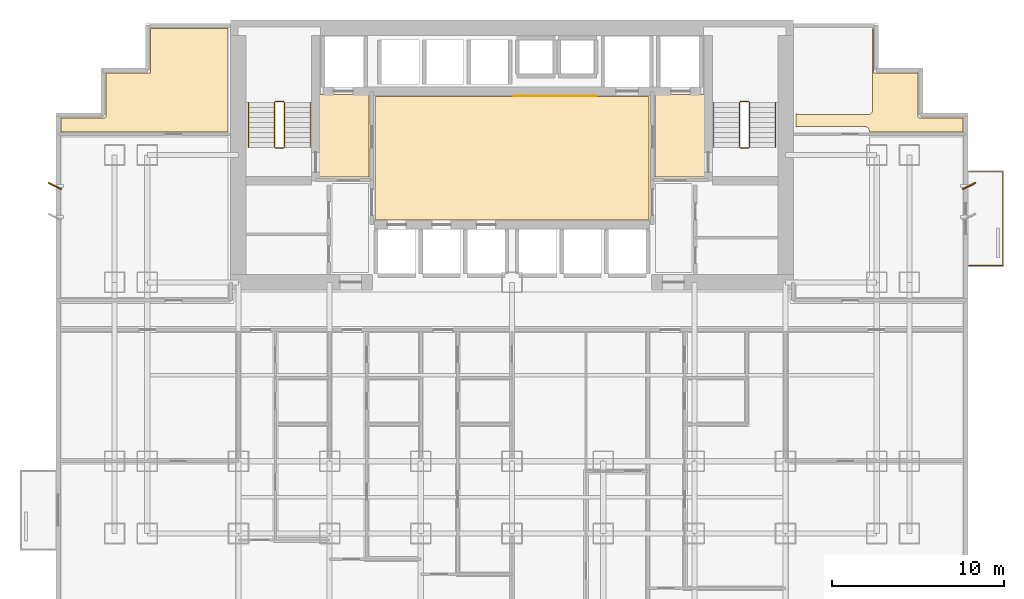
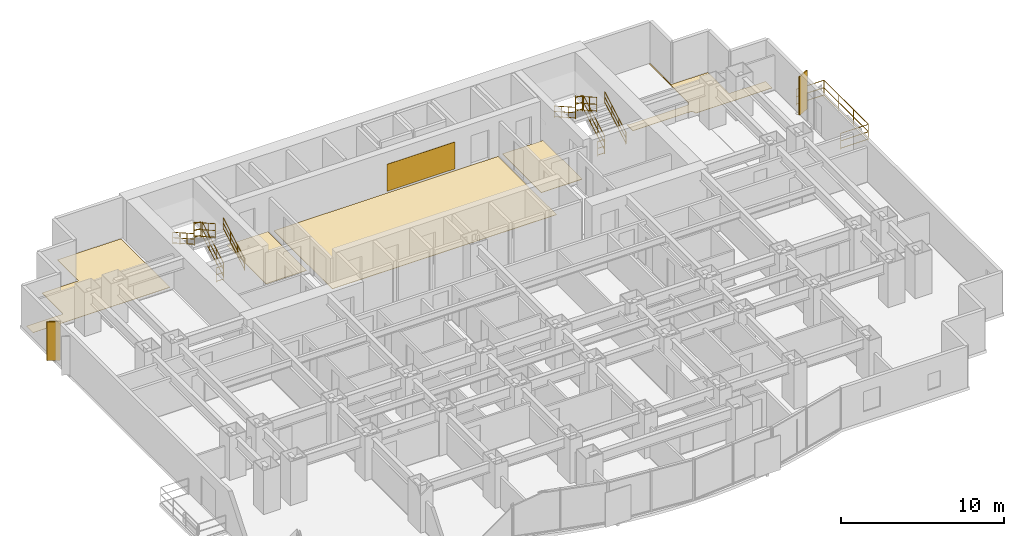
# One storey, part 10 of 10: 13 railings, 6 coverings, 2 shading devices.
"""IFC4 building model written with IfcOpenShell, lengths in metres."""

from ifc_helpers import new_model, si_unit, direction, frame, origin, origin_2d, place, context, subcontext, project, spatial, polyline, rectangle, circle, outline, extrude, source, transform, mapped, material, layer, layer_set, type_object, element, save


model = new_model("IFC4")

# Units and contexts
model_context = context("Model", 3, precision=1e-05, world=origin(), true_north=direction((0.0, 1.0)))
body_context = subcontext(model_context, "Body", "Model", "MODEL_VIEW")
ifc_project = project(units=[si_unit("LENGTHUNIT", "METRE"), si_unit("AREAUNIT", "SQUARE_METRE"), si_unit("VOLUMEUNIT", "CUBIC_METRE"), si_unit("PLANEANGLEUNIT", "RADIAN"), si_unit("MASSUNIT", "GRAM", prefix="KILO")], contexts=[model_context])

# Site, building, storey
site_placement = place(None, origin())
site = spatial("IfcSite", under=ifc_project, at=site_placement, CompositionType="ELEMENT")
building_placement = place(site_placement, origin())
building = spatial("IfcBuilding", under=site, at=building_placement, Name="Qianlan Lanfeng Residences", CompositionType="ELEMENT")
storey_placement = place(building_placement, frame((0.0, 0.0, 40.699951171875)))
storey = spatial("IfcBuildingStorey", under=building, at=storey_placement, Name="L10", CompositionType="ELEMENT", Elevation=40.699951171875)

# Coverings
ifc_material_1 = material(Name="Anodised Bronze Feature Wall Cladding")
ifc_layer_1 = layer(ifc_material_1, 0.02490234375)
ifc_layer_set_1 = layer_set([ifc_layer_1], Name="Anodised Bronze Feature Wall Cladding")
covering_type_1 = type_object("IfcCoveringType", Name="CLD-BRZ-25", PredefinedType="CLADDING", material=ifc_layer_set_1)
covering_1_placement = place(storey_placement, frame((0.0, 0.0, 0.150146484375)))
element("IfcCovering", 1, at=covering_1_placement, inside=storey, type_object=covering_type_1, Name="L10 Lift Lobby Bronze Feature Cladding", PredefinedType="CLADDING", context=body_context, shape_type="SweptSolid", body=[
    extrude(outline(polyline([(26.60009765625, 36.02490234375), (31.39990234375, 36.02490234375), (31.39990234375, 36.050048828125), (26.60009765625, 36.050048828125), (26.60009765625, 36.02490234375)])), origin(), (0.0, 0.0, 1.0), 2.02001953125),
])
ifc_material_2 = material(Name="Honed Taitung Granite Stone Flooring", Category="masonry")
ifc_layer_2 = layer(ifc_material_2, 0.030029296875)
ifc_layer_set_2 = layer_set([ifc_layer_2], Name="Honed Taitung Granite Stone Flooring")
covering_type_2 = type_object("IfcCoveringType", Name="FLR-STN-30", PredefinedType="FLOORING", material=ifc_layer_set_2)
covering_2_placement = place(storey_placement, origin())
element("IfcCovering", 2, at=covering_2_placement, inside=storey, type_object=covering_type_2, Name="L10 Firefighting Lift Lobby Floor Finish", PredefinedType="FLOORING", context=body_context, shape_type="SweptSolid", body=[
    extrude(outline(polyline([(15.2900390625, 31.320068359375), (18.179931640625, 31.320068359375), (18.179931640625, 36.110107421875), (15.2900390625, 36.110107421875), (15.2900390625, 31.320068359375)])), origin(), (0.0, 0.0, 1.0), 0.030029296875),
])
covering_3_placement = place(storey_placement, origin())
element("IfcCovering", 3, at=covering_3_placement, inside=storey, type_object=covering_type_2, Name="L10 Firefighting Lift Lobby Floor Finish", PredefinedType="FLOORING", context=body_context, shape_type="SweptSolid", body=[
    extrude(outline(polyline([(34.820068359375, 31.320068359375), (37.7099609375, 31.320068359375), (37.7099609375, 36.110107421875), (34.820068359375, 36.110107421875), (34.820068359375, 31.320068359375)])), origin(), (0.0, 0.0, 1.0), 0.030029296875),
])
covering_4_placement = place(storey_placement, origin())
element("IfcCovering", 4, at=covering_4_placement, inside=storey, type_object=covering_type_2, Name="L10 Lift Lobby Floor Finish", PredefinedType="FLOORING", context=body_context, shape_type="SweptSolid", body=[
    extrude(outline(polyline([(18.550048828125, 28.820068359375), (34.449951171875, 28.820068359375), (34.449951171875, 36.010009765625), (18.550048828125, 36.010009765625), (18.550048828125, 28.820068359375)])), origin(), (0.0, 0.0, 1.0), 0.030029296875),
])
ifc_material_3 = material(Name="Engineered Smoked Oak Timber Flooring", Category="wood")
ifc_layer_3 = layer(ifc_material_3, 0.02197265625)
ifc_layer_set_3 = layer_set([ifc_layer_3], Name="Engineered Smoked Oak Timber Flooring")
covering_type_3 = type_object("IfcCoveringType", Name="FLR-TIM-22", PredefinedType="FLOORING", material=ifc_layer_set_3)
covering_5_placement = place(storey_placement, origin())
element("IfcCovering", 5, at=covering_5_placement, inside=storey, type_object=covering_type_3, Name="L10 Resident Lounge Floor Finish", PredefinedType="FLOORING", context=body_context, shape_type="SweptSolid", body=[
    extrude(outline(polyline([(0.2900390625, 33.949951171875), (10.0, 33.949951171875), (10.0, 39.9599609375), (5.489990234375, 39.9599609375), (5.489990234375, 37.429931640625), (5.489990234375, 37.423095703125), (5.489013671875, 37.416015625), (5.487060546875, 37.409912109375), (5.485107421875, 37.403076171875), (5.48193359375, 37.39697265625), (5.47802734375, 37.39111328125), (5.47412109375, 37.385986328125), (5.468994140625, 37.381103515625), (5.464111328125, 37.3759765625), (5.458984375, 37.3720703125), (5.452880859375, 37.367919921875), (5.447021484375, 37.364990234375), (5.43994140625, 37.363037109375), (5.43408203125, 37.361083984375), (5.427001953125, 37.360107421875), (5.419921875, 37.360107421875), (2.889892578125, 37.360107421875), (2.889892578125, 34.830078125), (2.889892578125, 34.822998046875), (2.888916015625, 34.81591796875), (2.886962890625, 34.81005859375), (2.885009765625, 34.802978515625), (2.882080078125, 34.797119140625), (2.8779296875, 34.791015625), (2.8740234375, 34.785888671875), (2.868896484375, 34.781005859375), (2.864013671875, 34.77587890625), (2.85888671875, 34.77197265625), (2.85302734375, 34.76806640625), (2.846923828125, 34.764892578125), (2.840087890625, 34.762939453125), (2.833984375, 34.760986328125), (2.826904296875, 34.760009765625), (2.820068359375, 34.760009765625), (0.2900390625, 34.760009765625), (0.2900390625, 33.949951171875)])), origin(), (0.0, 0.0, 1.0), 0.02197265625),
])
covering_6_placement = place(storey_placement, origin())
element("IfcCovering", 6, at=covering_6_placement, inside=storey, type_object=covering_type_3, Name="L10 Resident Lounge Floor Finish", PredefinedType="FLOORING", context=body_context, shape_type="SweptSolid", body=[
    extrude(outline(polyline([(43.0, 34.237060546875), (43.007080078125, 34.239013671875), (43.031005859375, 34.2451171875), (43.054931640625, 34.2490234375), (43.080078125, 34.25), (47.02001953125, 34.25), (47.044921875, 34.2490234375), (47.069091796875, 34.2451171875), (47.093017578125, 34.239013671875), (47.115966796875, 34.23095703125), (47.137939453125, 34.219970703125), (47.158935546875, 34.2080078125), (47.178955078125, 34.193115234375), (47.197021484375, 34.177001953125), (47.212890625, 34.158935546875), (47.22802734375, 34.138916015625), (47.239990234375, 34.117919921875), (47.2509765625, 34.095947265625), (47.259033203125, 34.072998046875), (47.264892578125, 34.049072265625), (47.26904296875, 34.02490234375), (47.27001953125, 34.0), (47.27001953125, 33.949951171875), (52.7099609375, 33.949951171875), (52.7099609375, 34.760009765625), (50.179931640625, 34.760009765625), (50.173095703125, 34.760009765625), (50.166015625, 34.760986328125), (50.159912109375, 34.762939453125), (50.153076171875, 34.764892578125), (50.14697265625, 34.76806640625), (50.14111328125, 34.77197265625), (50.135986328125, 34.77587890625), (50.131103515625, 34.781005859375), (50.1259765625, 34.785888671875), (50.1220703125, 34.791015625), (50.117919921875, 34.797119140625), (50.114990234375, 34.802978515625), (50.113037109375, 34.81005859375), (50.111083984375, 34.81591796875), (50.110107421875, 34.822998046875), (50.110107421875, 34.830078125), (50.110107421875, 37.360107421875), (47.580078125, 37.360107421875), (47.572998046875, 37.360107421875), (47.56591796875, 37.361083984375), (47.56005859375, 37.363037109375), (47.552978515625, 37.364990234375), (47.547119140625, 37.367919921875), (47.541015625, 37.3720703125), (47.535888671875, 37.3759765625), (47.531005859375, 37.381103515625), (47.52587890625, 37.385986328125), (47.52197265625, 37.39111328125), (47.51806640625, 37.39697265625), (47.514892578125, 37.403076171875), (47.512939453125, 37.409912109375), (47.510986328125, 37.416015625), (47.510009765625, 37.423095703125), (47.510009765625, 37.429931640625), (47.510009765625, 39.9599609375), (47.449951171875, 39.9599609375), (47.449951171875, 35.199951171875), (47.448974609375, 35.175048828125), (47.445068359375, 35.15087890625), (47.43896484375, 35.126953125), (47.430908203125, 35.10400390625), (47.419921875, 35.08203125), (47.407958984375, 35.06103515625), (47.39306640625, 35.041015625), (47.376953125, 35.02294921875), (47.35888671875, 35.007080078125), (47.339111328125, 34.991943359375), (47.318115234375, 34.97998046875), (47.2958984375, 34.968994140625), (47.27294921875, 34.9609375), (47.2490234375, 34.955078125), (47.22509765625, 34.950927734375), (47.199951171875, 34.949951171875), (43.199951171875, 34.949951171875), (43.175048828125, 34.950927734375), (43.15087890625, 34.955078125), (43.126953125, 34.9609375), (43.10400390625, 34.968994140625), (43.08203125, 34.97998046875), (43.06103515625, 34.991943359375), (43.041015625, 35.007080078125), (43.02294921875, 35.02294921875), (43.007080078125, 35.041015625), (43.0, 35.050048828125), (43.0, 34.237060546875)])), origin(), (0.0, 0.0, 1.0), 0.02197265625),
])

# Railings
ifc_material_4 = material(Name="Anodised Bronze Aluminium and Laminated Glass Guard Balustrade", Category="aluminium")
railing_type_1 = type_object("IfcRailingType", Name="GR-EXT-1220", PredefinedType="BALUSTRADE", material=ifc_material_4)
railing_1_placement = place(storey_placement, frame((53.070068359375, 31.6298828125, 0.0)))
element("IfcRailing", 7, at=railing_1_placement, inside=storey, type_object=railing_type_1, Name="L10 Terrace Safety Guard GR-L10-EB-N", PredefinedType="BALUSTRADE", context=body_context, shape_type="SweptSolid", body=[
    extrude(circle(Radius=0.02490234375, at=origin_2d()), frame((0.0, 0.0, 0.0849609375), z_axis=(1.0, 0.0, 0.0), x_axis=(0.0, 1.0, 0.0)), (0.0, 0.0, 1.0), 1.9599609375),
    extrude(circle(Radius=0.02490234375, at=origin_2d()), frame((0.0, 0.0, 0.63427734375), z_axis=(1.0, 0.0, 0.0), x_axis=(0.0, 1.0, 0.0)), (0.0, 0.0, 1.0), 1.9599609375),
    extrude(circle(Radius=0.02490234375, at=origin_2d()), frame((0.0, 0.0, 1.19482421875), z_axis=(1.0, 0.0, 0.0), x_axis=(0.0, 1.0, 0.0)), (0.0, 0.0, 1.0), 1.9599609375),
    extrude(circle(Radius=0.02490234375, at=origin_2d()), frame((1.9599609375, 0.0, 0.0849609375), z_axis=(0.0, -1.0, 0.0), x_axis=(1.0, 0.0, 0.0)), (0.0, 0.0, 1.0), 5.4599609375),
    extrude(circle(Radius=0.02490234375, at=origin_2d()), frame((1.9599609375, 0.0, 0.63427734375), z_axis=(0.0, -1.0, 0.0), x_axis=(1.0, 0.0, 0.0)), (0.0, 0.0, 1.0), 5.4599609375),
    extrude(circle(Radius=0.02490234375, at=origin_2d()), frame((1.9599609375, 0.0, 1.19482421875), z_axis=(0.0, -1.0, 0.0), x_axis=(1.0, 0.0, 0.0)), (0.0, 0.0, 1.0), 5.4599609375),
    extrude(circle(Radius=0.02490234375, at=origin_2d()), frame((1.9599609375, -5.4599609375, 0.0849609375), z_axis=(-1.0, 0.0, 0.0), x_axis=(0.0, -1.0, 0.0)), (0.0, 0.0, 1.0), 1.9599609375),
    extrude(circle(Radius=0.02490234375, at=origin_2d()), frame((1.9599609375, -5.4599609375, 0.63427734375), z_axis=(-1.0, 0.0, 0.0), x_axis=(0.0, -1.0, 0.0)), (0.0, 0.0, 1.0), 1.9599609375),
    extrude(circle(Radius=0.02490234375, at=origin_2d()), frame((1.9599609375, -5.4599609375, 1.19482421875), z_axis=(-1.0, 0.0, 0.0), x_axis=(0.0, -1.0, 0.0)), (0.0, 0.0, 1.0), 1.9599609375),
    extrude(circle(Radius=0.02099609375, at=origin_2d()), origin(), (0.0, 0.0, 1.0), 1.169921875),
    extrude(circle(Radius=0.02099609375, at=origin_2d()), frame((1.9599609375, 0.0, 0.0)), (0.0, 0.0, 1.0), 1.169921875),
    extrude(circle(Radius=0.02099609375, at=origin_2d()), frame((1.9599609375, -1.820068359375, 0.0)), (0.0, 0.0, 1.0), 1.169921875),
    extrude(circle(Radius=0.02099609375, at=origin_2d()), frame((1.9599609375, -3.639892578125, 0.0)), (0.0, 0.0, 1.0), 1.169921875),
    extrude(circle(Radius=0.02099609375, at=origin_2d()), frame((1.9599609375, -5.4599609375, 0.0)), (0.0, 0.0, 1.0), 1.169921875),
    extrude(circle(Radius=0.02099609375, at=origin_2d()), frame((0.0, -5.4599609375, 0.0)), (0.0, 0.0, 1.0), 1.169921875),
])
ifc_material_5 = material(Name="Painted Galvanised Steel Guardrail", Category="steel")
railing_type_2 = type_object("IfcRailingType", Name="GR-ST-1120", PredefinedType="GUARDRAIL", material=ifc_material_5)
railing_2_placement = place(storey_placement, frame((13.27001953125, 33.050048828125, 0.1650390625)))
element("IfcRailing", 8, at=railing_2_placement, inside=storey, type_object=railing_type_2, Name="L10 ST-1 stair guard 1", PredefinedType="GUARDRAIL", context=body_context, shape_type="SweptSolid", body=[
    extrude(circle(Radius=0.02392578125, at=origin_2d()), frame((0.0, 0.0, 0.083984375), z_axis=(0.0, 0.869137319866, 0.494570843475), x_axis=(-1.0, 0.0, 0.0)), (0.0, 0.0, 1.0), 3.0029296875),
    extrude(circle(Radius=0.02392578125, at=origin_2d()), frame((0.0, 0.0, 0.58251953125), z_axis=(0.0, 0.869137319866, 0.494570843475), x_axis=(-1.0, 0.0, 0.0)), (0.0, 0.0, 1.0), 3.0029296875),
    extrude(circle(Radius=0.02392578125, at=origin_2d()), frame((0.0, 0.0, 1.09619140625), z_axis=(0.0, 0.869137319866, 0.494570843475), x_axis=(-1.0, 0.0, 0.0)), (0.0, 0.0, 1.0), 3.0029296875),
    extrude(circle(Radius=0.02099609375, at=origin_2d()), origin(), (0.0, 0.0, 1.0), 1.072021484375),
    extrude(circle(Radius=0.02099609375, at=origin_2d()), frame((0.0, 0.869873046875, 0.4951171875)), (0.0, 0.0, 1.0), 1.072021484375),
    extrude(circle(Radius=0.02099609375, at=origin_2d()), frame((0.0, 1.739990234375, 0.989990234375)), (0.0, 0.0, 1.0), 1.072021484375),
    extrude(circle(Radius=0.02099609375, at=origin_2d()), frame((0.0, 2.60986328125, 1.485107421875)), (0.0, 0.0, 1.0), 1.072021484375),
])
railing_3_placement = place(storey_placement, frame((13.219970703125, 35.7099609375, 1.650146484375)))
element("IfcRailing", 9, at=railing_3_placement, inside=storey, type_object=railing_type_2, Name="L10 ST-1 stair guard 2", PredefinedType="GUARDRAIL", context=body_context, shape_type="SweptSolid", body=[
    extrude(circle(Radius=0.02392578125, at=origin_2d()), frame((0.0, 0.0, 0.083984375), z_axis=(-1.0, 0.0, 0.0), x_axis=(0.0, -1.0, 0.0)), (0.0, 0.0, 1.0), 0.47998046875),
    extrude(circle(Radius=0.02392578125, at=origin_2d()), frame((0.0, 0.0, 0.58251953125), z_axis=(-1.0, 0.0, 0.0), x_axis=(0.0, -1.0, 0.0)), (0.0, 0.0, 1.0), 0.47998046875),
    extrude(circle(Radius=0.02392578125, at=origin_2d()), frame((0.0, 0.0, 1.09619140625), z_axis=(-1.0, 0.0, 0.0), x_axis=(0.0, -1.0, 0.0)), (0.0, 0.0, 1.0), 0.47998046875),
    extrude(circle(Radius=0.02099609375, at=origin_2d()), origin(), (0.0, 0.0, 1.0), 1.072021484375),
    extrude(circle(Radius=0.02099609375, at=origin_2d()), frame((-0.47998046875, 0.0, 0.0)), (0.0, 0.0, 1.0), 1.072021484375),
])
railing_4_placement = place(storey_placement, frame((12.68994140625, 35.659912109375, 1.81494140625)))
element("IfcRailing", 10, at=railing_4_placement, inside=storey, type_object=railing_type_2, Name="L10 ST-1 stair guard 3", PredefinedType="GUARDRAIL", context=body_context, shape_type="SweptSolid", body=[
    extrude(circle(Radius=0.02392578125, at=origin_2d()), frame((0.0, 0.0, 0.083984375), z_axis=(0.0, -0.869137319866, 0.494570843475), x_axis=(1.0, 0.0, 0.0)), (0.0, 0.0, 1.0), 3.0029296875),
    extrude(circle(Radius=0.02392578125, at=origin_2d()), frame((0.0, 0.0, 0.58251953125), z_axis=(0.0, -0.869137319866, 0.494570843475), x_axis=(1.0, 0.0, 0.0)), (0.0, 0.0, 1.0), 3.0029296875),
    extrude(circle(Radius=0.02392578125, at=origin_2d()), frame((0.0, 0.0, 1.09619140625), z_axis=(0.0, -0.869137319866, 0.494570843475), x_axis=(1.0, 0.0, 0.0)), (0.0, 0.0, 1.0), 3.0029296875),
    extrude(circle(Radius=0.02099609375, at=origin_2d()), origin(), (0.0, 0.0, 1.0), 1.072021484375),
    extrude(circle(Radius=0.02099609375, at=origin_2d()), frame((0.0, -0.869873046875, 0.4951171875)), (0.0, 0.0, 1.0), 1.072021484375),
    extrude(circle(Radius=0.02099609375, at=origin_2d()), frame((0.0, -1.739990234375, 0.989990234375)), (0.0, 0.0, 1.0), 1.072021484375),
    extrude(circle(Radius=0.02099609375, at=origin_2d()), frame((0.0, -2.60986328125, 1.485107421875)), (0.0, 0.0, 1.0), 1.072021484375),
])
railing_5_placement = place(storey_placement, frame((13.219970703125, 33.0, 0.0)))
element("IfcRailing", 11, at=railing_5_placement, inside=storey, type_object=railing_type_2, Name="L10 ST-1 stair guard 4", PredefinedType="GUARDRAIL", context=body_context, shape_type="SweptSolid", body=[
    extrude(circle(Radius=0.02392578125, at=origin_2d()), frame((0.0, 0.0, 0.083984375), z_axis=(-1.0, 0.0, 0.0), x_axis=(0.0, -1.0, 0.0)), (0.0, 0.0, 1.0), 0.47998046875),
    extrude(circle(Radius=0.02392578125, at=origin_2d()), frame((0.0, 0.0, 0.58251953125), z_axis=(-1.0, 0.0, 0.0), x_axis=(0.0, -1.0, 0.0)), (0.0, 0.0, 1.0), 0.47998046875),
    extrude(circle(Radius=0.02392578125, at=origin_2d()), frame((0.0, 0.0, 1.09619140625), z_axis=(-1.0, 0.0, 0.0), x_axis=(0.0, -1.0, 0.0)), (0.0, 0.0, 1.0), 0.47998046875),
    extrude(circle(Radius=0.02099609375, at=origin_2d()), origin(), (0.0, 0.0, 1.0), 1.072021484375),
    extrude(circle(Radius=0.02099609375, at=origin_2d()), frame((-0.47998046875, 0.0, 0.0)), (0.0, 0.0, 1.0), 1.072021484375),
])
railing_6_placement = place(storey_placement, frame((40.31005859375, 33.050048828125, 0.1650390625)))
element("IfcRailing", 12, at=railing_6_placement, inside=storey, type_object=railing_type_2, Name="L10 ST-2 stair guard 1", PredefinedType="GUARDRAIL", context=body_context, shape_type="SweptSolid", body=[
    extrude(circle(Radius=0.02392578125, at=origin_2d()), frame((0.0, 0.0, 0.083984375), z_axis=(0.0, 0.869137319866, 0.494570843475), x_axis=(-1.0, 0.0, 0.0)), (0.0, 0.0, 1.0), 3.0029296875),
    extrude(circle(Radius=0.02392578125, at=origin_2d()), frame((0.0, 0.0, 0.58251953125), z_axis=(0.0, 0.869137319866, 0.494570843475), x_axis=(-1.0, 0.0, 0.0)), (0.0, 0.0, 1.0), 3.0029296875),
    extrude(circle(Radius=0.02392578125, at=origin_2d()), frame((0.0, 0.0, 1.09619140625), z_axis=(0.0, 0.869137319866, 0.494570843475), x_axis=(-1.0, 0.0, 0.0)), (0.0, 0.0, 1.0), 3.0029296875),
    extrude(circle(Radius=0.02099609375, at=origin_2d()), origin(), (0.0, 0.0, 1.0), 1.072021484375),
    extrude(circle(Radius=0.02099609375, at=origin_2d()), frame((0.0, 0.869873046875, 0.4951171875)), (0.0, 0.0, 1.0), 1.072021484375),
    extrude(circle(Radius=0.02099609375, at=origin_2d()), frame((0.0, 1.739990234375, 0.989990234375)), (0.0, 0.0, 1.0), 1.072021484375),
    extrude(circle(Radius=0.02099609375, at=origin_2d()), frame((0.0, 2.60986328125, 1.485107421875)), (0.0, 0.0, 1.0), 1.072021484375),
])
railing_7_placement = place(storey_placement, frame((40.260009765625, 35.7099609375, 1.650146484375)))
element("IfcRailing", 13, at=railing_7_placement, inside=storey, type_object=railing_type_2, Name="L10 ST-2 stair guard 2", PredefinedType="GUARDRAIL", context=body_context, shape_type="SweptSolid", body=[
    extrude(circle(Radius=0.02392578125, at=origin_2d()), frame((0.0, 0.0, 0.083984375), z_axis=(-1.0, 0.0, 0.0), x_axis=(0.0, -1.0, 0.0)), (0.0, 0.0, 1.0), 0.47998046875),
    extrude(circle(Radius=0.02392578125, at=origin_2d()), frame((0.0, 0.0, 0.58251953125), z_axis=(-1.0, 0.0, 0.0), x_axis=(0.0, -1.0, 0.0)), (0.0, 0.0, 1.0), 0.47998046875),
    extrude(circle(Radius=0.02392578125, at=origin_2d()), frame((0.0, 0.0, 1.09619140625), z_axis=(-1.0, 0.0, 0.0), x_axis=(0.0, -1.0, 0.0)), (0.0, 0.0, 1.0), 0.47998046875),
    extrude(circle(Radius=0.02099609375, at=origin_2d()), origin(), (0.0, 0.0, 1.0), 1.072021484375),
    extrude(circle(Radius=0.02099609375, at=origin_2d()), frame((-0.47998046875, 0.0, 0.0)), (0.0, 0.0, 1.0), 1.072021484375),
])
railing_8_placement = place(storey_placement, frame((39.72998046875, 35.659912109375, 1.81494140625)))
element("IfcRailing", 14, at=railing_8_placement, inside=storey, type_object=railing_type_2, Name="L10 ST-2 stair guard 3", PredefinedType="GUARDRAIL", context=body_context, shape_type="SweptSolid", body=[
    extrude(circle(Radius=0.02392578125, at=origin_2d()), frame((0.0, 0.0, 0.083984375), z_axis=(0.0, -0.869137319866, 0.494570843475), x_axis=(1.0, 0.0, 0.0)), (0.0, 0.0, 1.0), 3.0029296875),
    extrude(circle(Radius=0.02392578125, at=origin_2d()), frame((0.0, 0.0, 0.58251953125), z_axis=(0.0, -0.869137319866, 0.494570843475), x_axis=(1.0, 0.0, 0.0)), (0.0, 0.0, 1.0), 3.0029296875),
    extrude(circle(Radius=0.02392578125, at=origin_2d()), frame((0.0, 0.0, 1.09619140625), z_axis=(0.0, -0.869137319866, 0.494570843475), x_axis=(1.0, 0.0, 0.0)), (0.0, 0.0, 1.0), 3.0029296875),
    extrude(circle(Radius=0.02099609375, at=origin_2d()), origin(), (0.0, 0.0, 1.0), 1.072021484375),
    extrude(circle(Radius=0.02099609375, at=origin_2d()), frame((0.0, -0.869873046875, 0.4951171875)), (0.0, 0.0, 1.0), 1.072021484375),
    extrude(circle(Radius=0.02099609375, at=origin_2d()), frame((0.0, -1.739990234375, 0.989990234375)), (0.0, 0.0, 1.0), 1.072021484375),
    extrude(circle(Radius=0.02099609375, at=origin_2d()), frame((0.0, -2.60986328125, 1.485107421875)), (0.0, 0.0, 1.0), 1.072021484375),
])
railing_9_placement = place(storey_placement, frame((40.260009765625, 33.0, 0.0)))
element("IfcRailing", 15, at=railing_9_placement, inside=storey, type_object=railing_type_2, Name="L10 ST-2 stair guard 4", PredefinedType="GUARDRAIL", context=body_context, shape_type="SweptSolid", body=[
    extrude(circle(Radius=0.02392578125, at=origin_2d()), frame((0.0, 0.0, 0.083984375), z_axis=(-1.0, 0.0, 0.0), x_axis=(0.0, -1.0, 0.0)), (0.0, 0.0, 1.0), 0.47998046875),
    extrude(circle(Radius=0.02392578125, at=origin_2d()), frame((0.0, 0.0, 0.58251953125), z_axis=(-1.0, 0.0, 0.0), x_axis=(0.0, -1.0, 0.0)), (0.0, 0.0, 1.0), 0.47998046875),
    extrude(circle(Radius=0.02392578125, at=origin_2d()), frame((0.0, 0.0, 1.09619140625), z_axis=(-1.0, 0.0, 0.0), x_axis=(0.0, -1.0, 0.0)), (0.0, 0.0, 1.0), 0.47998046875),
    extrude(circle(Radius=0.02099609375, at=origin_2d()), origin(), (0.0, 0.0, 1.0), 1.072021484375),
    extrude(circle(Radius=0.02099609375, at=origin_2d()), frame((-0.47998046875, 0.0, 0.0)), (0.0, 0.0, 1.0), 1.072021484375),
])
ifc_material_6 = material(Name="Brushed Stainless Steel Handrail", Category="steel")
railing_type_3 = type_object("IfcRailingType", Name="HR-ST-920", PredefinedType="HANDRAIL", material=ifc_material_6)
railing_10_placement = place(storey_placement, frame((14.77001953125, 33.050048828125, 0.1650390625)))
element("IfcRailing", 16, at=railing_10_placement, inside=storey, type_object=railing_type_3, Name="L10 ST-1 stair handrail 1", PredefinedType="HANDRAIL", context=body_context, shape_type="SweptSolid", body=[
    extrude(circle(Radius=0.02392578125, at=origin_2d()), frame((0.0, 0.0, 0.083984375), z_axis=(0.0, 0.869137319866, 0.494570843475), x_axis=(-1.0, 0.0, 0.0)), (0.0, 0.0, 1.0), 3.0029296875),
    extrude(circle(Radius=0.02392578125, at=origin_2d()), frame((0.0, 0.0, 0.468017578125), z_axis=(0.0, 0.869137319866, 0.494570843475), x_axis=(-1.0, 0.0, 0.0)), (0.0, 0.0, 1.0), 3.0029296875),
    extrude(circle(Radius=0.02392578125, at=origin_2d()), frame((0.0, 0.0, 0.8759765625), z_axis=(0.0, 0.869137319866, 0.494570843475), x_axis=(-1.0, 0.0, 0.0)), (0.0, 0.0, 1.0), 3.0029296875),
    extrude(circle(Radius=0.02099609375, at=origin_2d()), origin(), (0.0, 0.0, 1.0), 0.851806640625),
    extrude(circle(Radius=0.02099609375, at=origin_2d()), frame((0.0, 0.869873046875, 0.4951171875)), (0.0, 0.0, 1.0), 0.851806640625),
    extrude(circle(Radius=0.02099609375, at=origin_2d()), frame((0.0, 1.739990234375, 0.989990234375)), (0.0, 0.0, 1.0), 0.851806640625),
    extrude(circle(Radius=0.02099609375, at=origin_2d()), frame((0.0, 2.60986328125, 1.485107421875)), (0.0, 0.0, 1.0), 0.851806640625),
])
railing_11_placement = place(storey_placement, frame((11.18994140625, 35.659912109375, 1.81494140625)))
element("IfcRailing", 17, at=railing_11_placement, inside=storey, type_object=railing_type_3, Name="L10 ST-1 stair handrail 2", PredefinedType="HANDRAIL", context=body_context, shape_type="SweptSolid", body=[
    extrude(circle(Radius=0.02392578125, at=origin_2d()), frame((0.0, 0.0, 0.083984375), z_axis=(0.0, -0.869137319866, 0.494570843475), x_axis=(1.0, 0.0, 0.0)), (0.0, 0.0, 1.0), 3.0029296875),
    extrude(circle(Radius=0.02392578125, at=origin_2d()), frame((0.0, 0.0, 0.468017578125), z_axis=(0.0, -0.869137319866, 0.494570843475), x_axis=(1.0, 0.0, 0.0)), (0.0, 0.0, 1.0), 3.0029296875),
    extrude(circle(Radius=0.02392578125, at=origin_2d()), frame((0.0, 0.0, 0.8759765625), z_axis=(0.0, -0.869137319866, 0.494570843475), x_axis=(1.0, 0.0, 0.0)), (0.0, 0.0, 1.0), 3.0029296875),
    extrude(circle(Radius=0.02099609375, at=origin_2d()), origin(), (0.0, 0.0, 1.0), 0.851806640625),
    extrude(circle(Radius=0.02099609375, at=origin_2d()), frame((0.0, -0.869873046875, 0.4951171875)), (0.0, 0.0, 1.0), 0.851806640625),
    extrude(circle(Radius=0.02099609375, at=origin_2d()), frame((0.0, -1.739990234375, 0.989990234375)), (0.0, 0.0, 1.0), 0.851806640625),
    extrude(circle(Radius=0.02099609375, at=origin_2d()), frame((0.0, -2.60986328125, 1.485107421875)), (0.0, 0.0, 1.0), 0.851806640625),
])
railing_12_placement = place(storey_placement, frame((41.81005859375, 33.050048828125, 0.1650390625)))
element("IfcRailing", 18, at=railing_12_placement, inside=storey, type_object=railing_type_3, Name="L10 ST-2 stair handrail 1", PredefinedType="HANDRAIL", context=body_context, shape_type="SweptSolid", body=[
    extrude(circle(Radius=0.02392578125, at=origin_2d()), frame((0.0, 0.0, 0.083984375), z_axis=(0.0, 0.869137319866, 0.494570843475), x_axis=(-1.0, 0.0, 0.0)), (0.0, 0.0, 1.0), 3.0029296875),
    extrude(circle(Radius=0.02392578125, at=origin_2d()), frame((0.0, 0.0, 0.468017578125), z_axis=(0.0, 0.869137319866, 0.494570843475), x_axis=(-1.0, 0.0, 0.0)), (0.0, 0.0, 1.0), 3.0029296875),
    extrude(circle(Radius=0.02392578125, at=origin_2d()), frame((0.0, 0.0, 0.8759765625), z_axis=(0.0, 0.869137319866, 0.494570843475), x_axis=(-1.0, 0.0, 0.0)), (0.0, 0.0, 1.0), 3.0029296875),
    extrude(circle(Radius=0.02099609375, at=origin_2d()), origin(), (0.0, 0.0, 1.0), 0.851806640625),
    extrude(circle(Radius=0.02099609375, at=origin_2d()), frame((0.0, 0.869873046875, 0.4951171875)), (0.0, 0.0, 1.0), 0.851806640625),
    extrude(circle(Radius=0.02099609375, at=origin_2d()), frame((0.0, 1.739990234375, 0.989990234375)), (0.0, 0.0, 1.0), 0.851806640625),
    extrude(circle(Radius=0.02099609375, at=origin_2d()), frame((0.0, 2.60986328125, 1.485107421875)), (0.0, 0.0, 1.0), 0.851806640625),
])
railing_13_placement = place(storey_placement, frame((38.22998046875, 35.659912109375, 1.81494140625)))
element("IfcRailing", 19, at=railing_13_placement, inside=storey, type_object=railing_type_3, Name="L10 ST-2 stair handrail 2", PredefinedType="HANDRAIL", context=body_context, shape_type="SweptSolid", body=[
    extrude(circle(Radius=0.02392578125, at=origin_2d()), frame((0.0, 0.0, 0.083984375), z_axis=(0.0, -0.869137319866, 0.494570843475), x_axis=(1.0, 0.0, 0.0)), (0.0, 0.0, 1.0), 3.0029296875),
    extrude(circle(Radius=0.02392578125, at=origin_2d()), frame((0.0, 0.0, 0.468017578125), z_axis=(0.0, -0.869137319866, 0.494570843475), x_axis=(1.0, 0.0, 0.0)), (0.0, 0.0, 1.0), 3.0029296875),
    extrude(circle(Radius=0.02392578125, at=origin_2d()), frame((0.0, 0.0, 0.8759765625), z_axis=(0.0, -0.869137319866, 0.494570843475), x_axis=(1.0, 0.0, 0.0)), (0.0, 0.0, 1.0), 3.0029296875),
    extrude(circle(Radius=0.02099609375, at=origin_2d()), origin(), (0.0, 0.0, 1.0), 0.851806640625),
    extrude(circle(Radius=0.02099609375, at=origin_2d()), frame((0.0, -0.869873046875, 0.4951171875)), (0.0, 0.0, 1.0), 0.851806640625),
    extrude(circle(Radius=0.02099609375, at=origin_2d()), frame((0.0, -1.739990234375, 0.989990234375)), (0.0, 0.0, 1.0), 0.851806640625),
    extrude(circle(Radius=0.02099609375, at=origin_2d()), frame((0.0, -2.60986328125, 1.485107421875)), (0.0, 0.0, 1.0), 0.851806640625),
])

# Shading devices
ifc_material_7 = material(Name="Anodised Bronze Aluminium Solar Fin", Category="aluminium")
shading_device_type = type_object("IfcShadingDeviceType", Name="FIN-BRZ-850", PredefinedType="SHUTTER", material=ifc_material_7)
shared_shape = source(origin(), body_context, "Body", "SweptSolid", [
    extrude(rectangle(XDim=0.85009765625, YDim=0.080078125, at=origin_2d()), origin(), (0.0, 0.0, 1.0), 2.89990234375),
])
for number, where, z_axis, x_axis, name in (
    (20, (-0.070068359375, 30.800048828125, 0.0), (0.0, 0.0, 1.0), (0.898794046299, -0.438371146789, 0.0), "L10 Raked Bronze Solar Fin W2"),
    (21, (53.070068359375, 30.800048828125, 0.0), (0.0, 0.0, 1.0), (0.898794046299, 0.438371146789, 0.0), "L10 Raked Bronze Solar Fin E2"),
):
    element("IfcShadingDevice", number, at=place(storey_placement, frame(where, z_axis=z_axis, x_axis=x_axis)), inside=storey, type_object=shading_device_type, Name=name, PredefinedType="SHUTTER", context=body_context, shape_type="MappedRepresentation", body=[
        mapped(shared_shape, transform((0.0, 0.0, 0.0), scale=1.0)),
    ])

save(model, "model.ifc")
